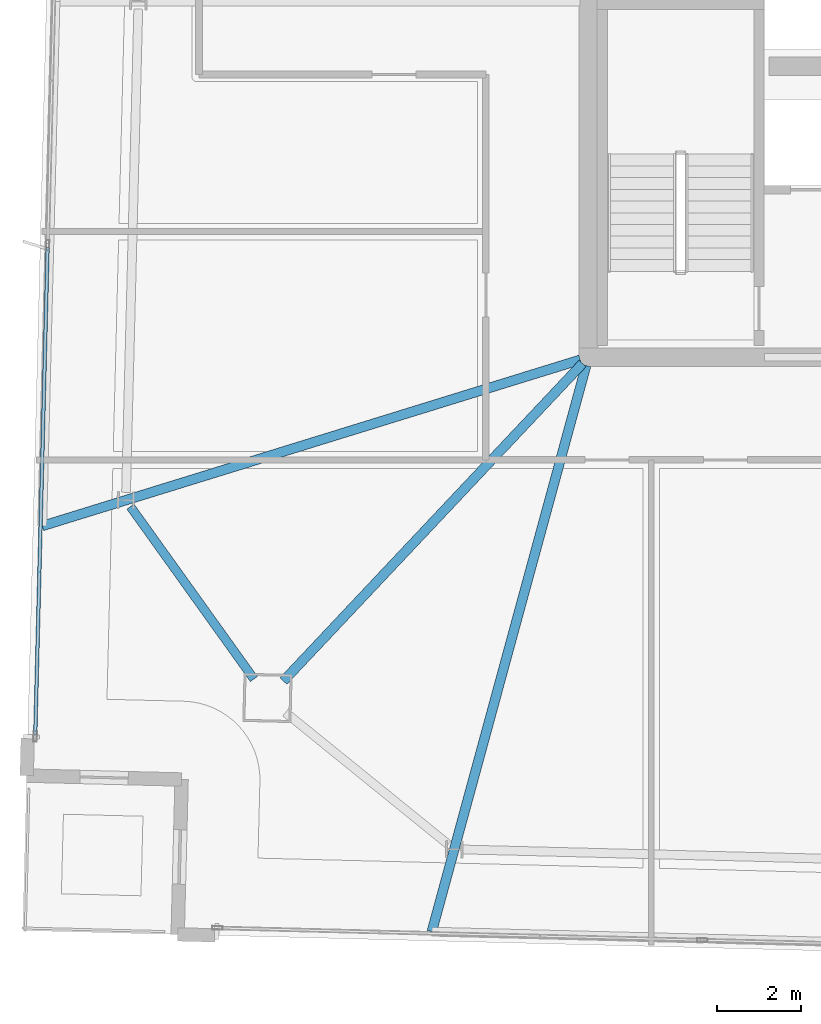
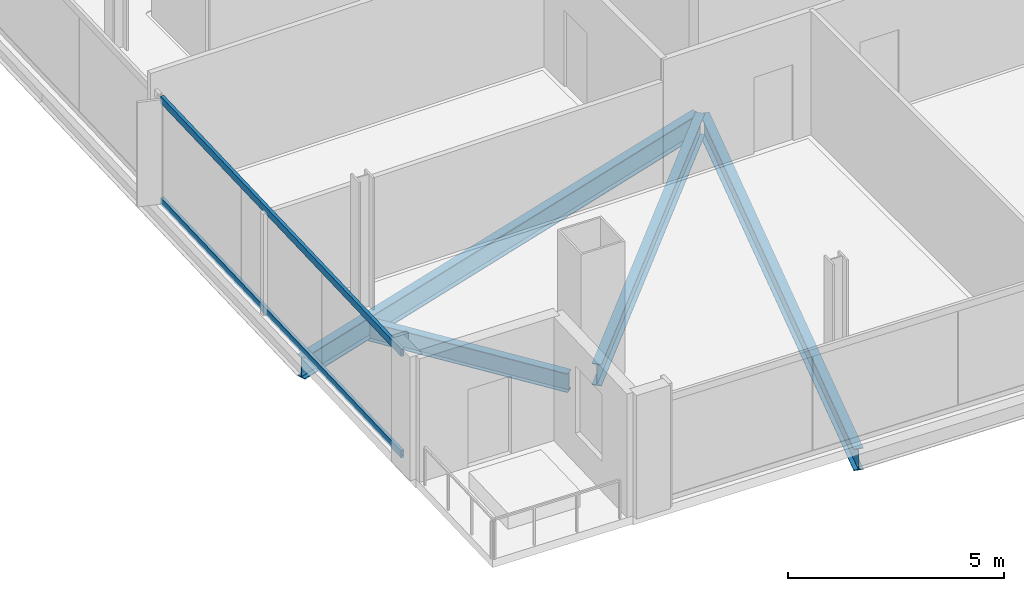
# One storey, part 3 of 25: 4 beams, 2 members, 1 element without a shape of its own.
"""IFC4 building model written with IfcOpenShell, lengths in metres."""

from ifc_helpers import new_model, si_unit, direction, frame, origin, origin_2d, place, context, subcontext, project, spatial, hollow_rectangle, i_section, extrude, material, material_profile, profile_set, type_object, element, aggregate, save


model = new_model("IFC4")

# Units and contexts
model_context = context("Model", 3, precision=1e-05, world=origin(), true_north=direction((0.0, 1.0)))
body_context = subcontext(model_context, "Body", "Model", "MODEL_VIEW")
ifc_project = project(units=[si_unit("LENGTHUNIT", "METRE"), si_unit("AREAUNIT", "SQUARE_METRE"), si_unit("VOLUMEUNIT", "CUBIC_METRE"), si_unit("PLANEANGLEUNIT", "RADIAN"), si_unit("MASSUNIT", "GRAM", prefix="KILO")], contexts=[model_context])

# Site, building, storey
site_placement = place(None, origin())
site = spatial("IfcSite", under=ifc_project, at=site_placement, CompositionType="ELEMENT")
building_placement = place(site_placement, origin())
building = spatial("IfcBuilding", under=site, at=building_placement, Name="Haldenkirk Collegiate Tower", CompositionType="ELEMENT")
storey_placement = place(building_placement, frame((0.0, 0.0, 325.199951171875)))
storey = spatial("IfcBuildingStorey", under=building, at=storey_placement, Name="L82", CompositionType="ELEMENT", Elevation=325.199951171875)

# Beams
ifc_material_1 = material(Name="Steel ASTM A992 Grade 50", Category="steel")
ifc_material_profile_1 = material_profile(ifc_material_1, i_section(OverallWidth=0.22998046875, OverallDepth=0.616943359375, WebThickness=0.01318359375, FlangeThickness=0.022216796875, at=origin_2d()), Name="W24X94")
ifc_profile_set_1 = profile_set([ifc_material_profile_1], Name="Steel ASTM A992 Grade 50")
beam_type_1 = type_object("IfcBeamType", Name="BM-GIRDER-W24X94", PredefinedType="BEAM", material=ifc_profile_set_1)
beam_1_placement = place(storey_placement, frame((19.717041015625, 10.2705078125, -0.568359375), z_axis=(0.685767478835, 0.72782069562, 0.0), x_axis=(-0.72782069562, 0.685767478835, 0.0)))
element("IfcBeam", 1, at=beam_1_placement, inside=storey, type_object=beam_type_1, Name="L82 primary floor girder 04", PredefinedType="BEAM", context=body_context, shape_type="SweptSolid", body=[
    extrude(i_section(OverallWidth=0.22998046875, OverallDepth=0.616943359375, WebThickness=0.01318359375, FlangeThickness=0.022216796875, at=origin_2d()), origin(), (0.0, 0.0, 1.0), 10.4150390625),
])
beam_2_placement = place(storey_placement, frame((13.95849609375, 13.970947265625, -0.568359375), z_axis=(0.95544426964, 0.295171556238, 0.0), x_axis=(-0.295171556238, 0.95544426964, 0.0)))
element("IfcBeam", 2, at=beam_2_placement, inside=storey, type_object=beam_type_1, Name="L82 primary floor girder 13", PredefinedType="BEAM", context=body_context, shape_type="SweptSolid", body=[
    extrude(i_section(OverallWidth=0.22998046875, OverallDepth=0.616943359375, WebThickness=0.01318359375, FlangeThickness=0.022216796875, at=origin_2d()), origin(), (0.0, 0.0, 1.0), 13.44482421875),
])
beam_3_placement = place(storey_placement, frame((23.260009765625, 4.285400390625, -0.568359375), z_axis=(0.263092339588, 0.964770657125, 0.0), x_axis=(-0.964770657125, 0.263092339588, 0.0)))
element("IfcBeam", 3, at=beam_3_placement, inside=storey, type_object=beam_type_1, Name="L82 primary floor girder 14", PredefinedType="BEAM", context=body_context, shape_type="SweptSolid", body=[
    extrude(i_section(OverallWidth=0.22998046875, OverallDepth=0.616943359375, WebThickness=0.01318359375, FlangeThickness=0.022216796875, at=origin_2d()), origin(), (0.0, 0.0, 1.0), 14.010498046875),
])
ifc_material_profile_2 = material_profile(ifc_material_1, i_section(OverallWidth=0.2099609375, OverallDepth=0.537109375, WebThickness=0.010986328125, FlangeThickness=0.017333984375, at=origin_2d()), Name="W21X68")
ifc_profile_set_2 = profile_set([ifc_material_profile_2], Name="Steel ASTM A992 Grade 50")
beam_type_2 = type_object("IfcBeamType", Name="BM-SPANDREL-W21X68", PredefinedType="SPANDREL", material=ifc_profile_set_2)
beam_4_placement = place(storey_placement, frame((16.064208984375, 14.434814453125, -0.528564453125), z_axis=(0.582300220922, -0.812973832737, 0.0), x_axis=(0.812973832737, 0.582300220922, 0.0)))
element("IfcBeam", 4, at=beam_4_placement, inside=storey, type_object=beam_type_2, Name="L82 perimeter spandrel beam 12", PredefinedType="SPANDREL", context=body_context, shape_type="SweptSolid", body=[
    extrude(i_section(OverallWidth=0.2099609375, OverallDepth=0.537109375, WebThickness=0.010986328125, FlangeThickness=0.017333984375, at=origin_2d()), origin(), (0.0, 0.0, 1.0), 5.064453125),
])

# Curtain wall, members
ifc_material_2 = material(Name="Anodised architectural bronze aluminium", Category="aluminium")
curtain_wall_type = type_object("IfcCurtainWallType", Name="CW-SYS1B-CONVEX-HI", PredefinedType="USERDEFINED", material=ifc_material_2)
curtain_wall_placement = place(storey_placement, origin())
curtain_wall = element("IfcCurtainWall", 5, at=curtain_wall_placement, inside=storey, type_object=curtain_wall_type, Name="L82 Upper tower high-wind convex bronze unitised curtain wall", ObjectType="UNITISED CURTAIN WALL", PredefinedType="USERDEFINED")
ifc_material_profile_3 = material_profile(ifc_material_2, hollow_rectangle(XDim=0.0849609375, YDim=0.199951171875, WallThickness=0.0048828125, at=origin_2d()), Name="CW-TRN-1B")
ifc_profile_set_3 = profile_set([ifc_material_profile_3], Name="Anodised architectural bronze aluminium")
member_type = type_object("IfcMemberType", Name="CW-TRN-1B", PredefinedType="USERDEFINED", material=ifc_profile_set_3)
member_1_placement = place(storey_placement, frame((13.79248046875, 8.991455078125, 0.04248046875), z_axis=(0.025296671469, 0.999679988002, 0.0), x_axis=(-0.999679988002, 0.025296671469, 0.0)))
member_1 = element("IfcMember", 6, at=member_1_placement, type_object=member_type, Name="CW-1B transom 1.1", ObjectType="TRANSOM", PredefinedType="USERDEFINED", context=body_context, shape_type="SweptSolid", body=[
    extrude(hollow_rectangle(XDim=0.0849609375, YDim=0.199951171875, WallThickness=0.0048828125, at=origin_2d()), origin(), (0.0, 0.0, 1.0), 11.63916015625),
])
member_2_placement = place(storey_placement, frame((13.79248046875, 8.991455078125, 2.905517578125), z_axis=(0.025296671469, 0.999679988002, 0.0), x_axis=(-0.999679988002, 0.025296671469, 0.0)))
member_2 = element("IfcMember", 7, at=member_2_placement, type_object=member_type, Name="CW-1B transom 1.2", ObjectType="TRANSOM", PredefinedType="USERDEFINED", context=body_context, shape_type="SweptSolid", body=[
    extrude(hollow_rectangle(XDim=0.0849609375, YDim=0.199951171875, WallThickness=0.0048828125, at=origin_2d()), origin(), (0.0, 0.0, 1.0), 11.63916015625),
])
aggregate(curtain_wall, [member_1, member_2])

save(model, "model.ifc")
